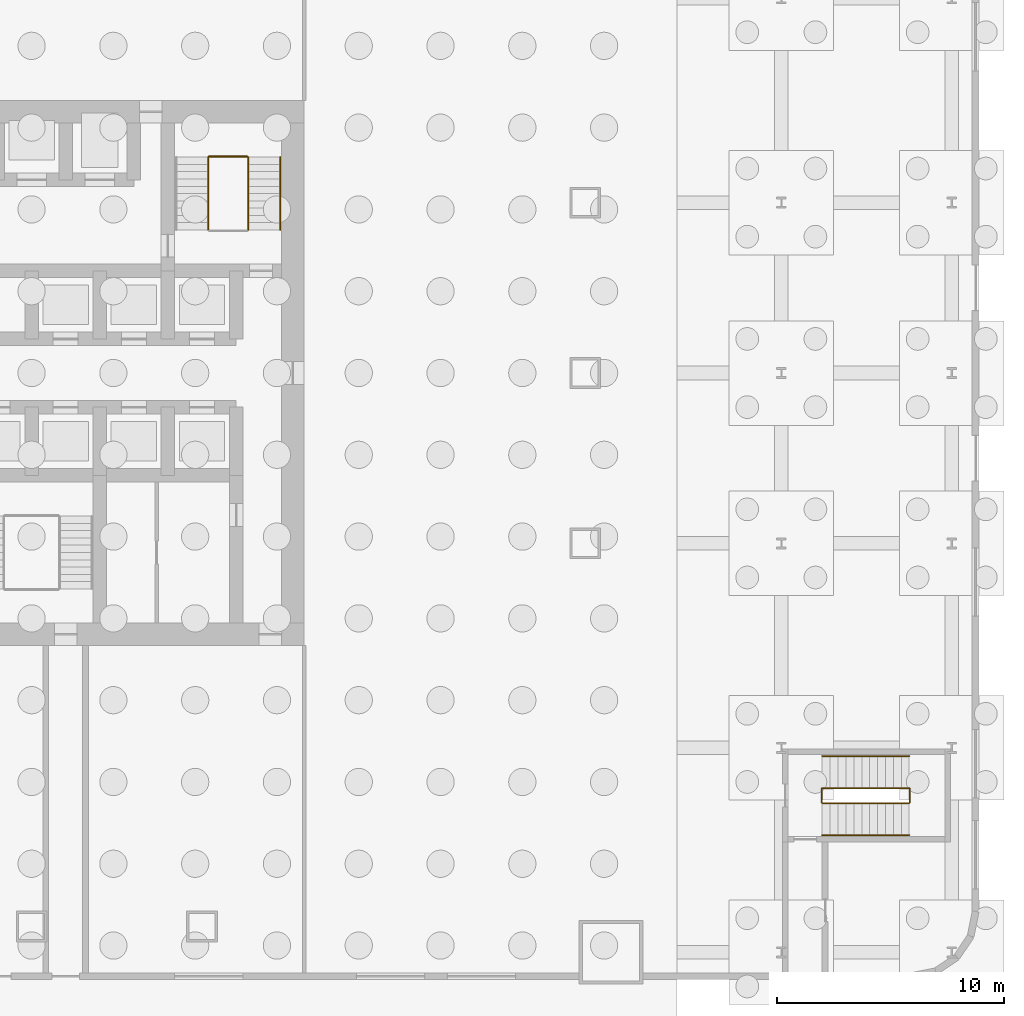
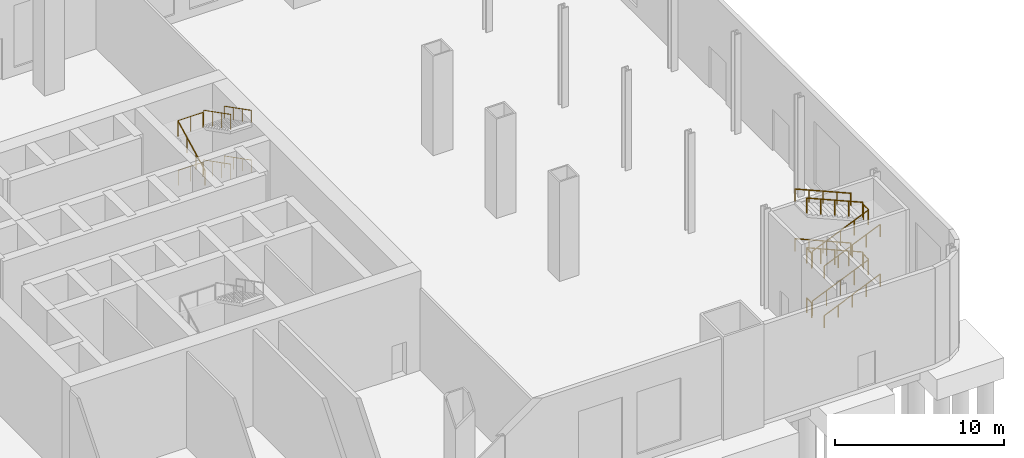
# One storey, part 9 of 10: 19 railings.
"""IFC4 building model written with IfcOpenShell, lengths in metres."""

from ifc_helpers import new_model, si_unit, direction, frame, origin, origin_2d, place, context, subcontext, project, spatial, circle, extrude, material, type_object, element, save


model = new_model("IFC4")

# Units and contexts
model_context = context("Model", 3, precision=1e-05, world=origin(), true_north=direction((0.0, 1.0)))
body_context = subcontext(model_context, "Body", "Model", "MODEL_VIEW")
ifc_project = project(units=[si_unit("LENGTHUNIT", "METRE"), si_unit("AREAUNIT", "SQUARE_METRE"), si_unit("VOLUMEUNIT", "CUBIC_METRE"), si_unit("PLANEANGLEUNIT", "RADIAN"), si_unit("MASSUNIT", "GRAM", prefix="KILO")], contexts=[model_context])

# Site, building, storey
site_placement = place(None, origin())
site = spatial("IfcSite", under=ifc_project, at=site_placement, CompositionType="ELEMENT")
building_placement = place(site_placement, origin())
building = spatial("IfcBuilding", under=site, at=building_placement, Name="Tarangal Relay Tower", CompositionType="ELEMENT")
storey_placement = place(building_placement, origin())
storey = spatial("IfcBuildingStorey", under=building, at=storey_placement, Name="L00", CompositionType="ELEMENT", Elevation=0.0)

# Railings
ifc_material_1 = material(Name="Steel guard, black finish", Category="steel")
railing_type_1 = type_object("IfcRailingType", Name="Stair guard 1100", PredefinedType="GUARDRAIL", material=ifc_material_1)
railing_1_placement = place(storey_placement, frame((9.530029296875, 9.5, 1.963623046875)))
element("IfcRailing", 1, at=railing_1_placement, inside=storey, type_object=railing_type_1, Name="Stair ST-B guard GR1 L00 flight 2", PredefinedType="GUARDRAIL", context=body_context, shape_type="SweptSolid", body=[
    extrude(circle(Radius=0.02392578125, at=origin_2d()), frame((0.0, 0.0, 1.076171875), z_axis=(0.0, -0.890328218293, 0.455319298636), x_axis=(1.0, 0.0, 0.0)), (0.0, 0.0, 1.0), 3.59423828125),
    extrude(circle(Radius=0.02099609375, at=origin_2d()), origin(), (0.0, 0.0, 1.0), 1.052001953125),
    extrude(circle(Radius=0.02099609375, at=origin_2d()), frame((0.0, -1.066650390625, 0.54541015625)), (0.0, 0.0, 1.0), 1.052001953125),
    extrude(circle(Radius=0.02099609375, at=origin_2d()), frame((0.0, -2.13330078125, 1.091064453125)), (0.0, 0.0, 1.0), 1.052001953125),
    extrude(circle(Radius=0.02099609375, at=origin_2d()), frame((0.0, -3.199951171875, 1.636474609375)), (0.0, 0.0, 1.0), 1.052001953125),
])
railing_2_placement = place(storey_placement, frame((7.77001953125, 6.300048828125, 3.763671875)))
element("IfcRailing", 2, at=railing_2_placement, inside=storey, type_object=railing_type_1, Name="Stair ST-B guard GR1 L00 flight 3", PredefinedType="GUARDRAIL", context=body_context, shape_type="SweptSolid", body=[
    extrude(circle(Radius=0.02392578125, at=origin_2d()), frame((0.0, 0.0, 1.076171875), z_axis=(0.0, 0.890355754289, 0.455265450923), x_axis=(-1.0, 0.0, 0.0)), (0.0, 0.0, 1.0), 3.593994140625),
    extrude(circle(Radius=0.02099609375, at=origin_2d()), origin(), (0.0, 0.0, 1.0), 1.052001953125),
    extrude(circle(Radius=0.02099609375, at=origin_2d()), frame((0.0, 1.066650390625, 0.54541015625)), (0.0, 0.0, 1.0), 1.052001953125),
    extrude(circle(Radius=0.02099609375, at=origin_2d()), frame((0.0, 2.13330078125, 1.0908203125)), (0.0, 0.0, 1.0), 1.052001953125),
    extrude(circle(Radius=0.02099609375, at=origin_2d()), frame((0.0, 3.199951171875, 1.63623046875)), (0.0, 0.0, 1.0), 1.052001953125),
])
railing_3_placement = place(storey_placement, frame((9.530029296875, 9.5, 5.563720703125)))
element("IfcRailing", 3, at=railing_3_placement, inside=storey, type_object=railing_type_1, Name="Stair ST-B guard GR1 L00 flight 4", PredefinedType="GUARDRAIL", context=body_context, shape_type="SweptSolid", body=[
    extrude(circle(Radius=0.02392578125, at=origin_2d()), frame((0.0, 0.0, 1.076171875), z_axis=(0.0, -0.890355754289, 0.455265450923), x_axis=(1.0, 0.0, 0.0)), (0.0, 0.0, 1.0), 3.593994140625),
    extrude(circle(Radius=0.02099609375, at=origin_2d()), origin(), (0.0, 0.0, 1.0), 1.052001953125),
    extrude(circle(Radius=0.02099609375, at=origin_2d()), frame((0.0, -1.066650390625, 0.54541015625)), (0.0, 0.0, 1.0), 1.052001953125),
    extrude(circle(Radius=0.02099609375, at=origin_2d()), frame((0.0, -2.13330078125, 1.0908203125)), (0.0, 0.0, 1.0), 1.052001953125),
    extrude(circle(Radius=0.02099609375, at=origin_2d()), frame((0.0, -3.199951171875, 1.63623046875)), (0.0, 0.0, 1.0), 1.052001953125),
])
for number, where, name in (
    (4, (7.800048828125, 9.530029296875, 1.800048828125), "Stair ST-B landing guard GR1 L00"),
    (5, (7.800048828125, 9.530029296875, 5.39990234375), "Stair ST-B landing guard GR1 L00"),
):
    element("IfcRailing", number, at=place(storey_placement, frame(where)), inside=storey, type_object=railing_type_1, Name=name, PredefinedType="GUARDRAIL", context=body_context, shape_type="SweptSolid", body=[
        extrude(circle(Radius=0.02392578125, at=origin_2d()), frame((0.0, 0.0, 1.076171875), z_axis=(1.0, 0.0, 0.0), x_axis=(0.0, 1.0, 0.0)), (0.0, 0.0, 1.0), 1.699951171875),
        extrude(circle(Radius=0.02099609375, at=origin_2d()), origin(), (0.0, 0.0, 1.0), 1.052001953125),
        extrude(circle(Radius=0.02099609375, at=origin_2d()), frame((0.85009765625, 0.0, 0.0)), (0.0, 0.0, 1.0), 1.052001953125),
        extrude(circle(Radius=0.02099609375, at=origin_2d()), frame((1.699951171875, 0.0, 0.0)), (0.0, 0.0, 1.0), 1.052001953125),
    ])
railing_4_placement = place(storey_placement, frame((34.800048828125, -18.929931640625, 0.14990234375)))
element("IfcRailing", 6, at=railing_4_placement, inside=storey, type_object=railing_type_1, Name="Stair ST-E guard GR1 L00 flight 1", PredefinedType="GUARDRAIL", context=body_context, shape_type="SweptSolid", body=[
    extrude(circle(Radius=0.02392578125, at=origin_2d()), frame((0.0, 0.0, 1.076171875), z_axis=(0.918306833342, 0.0, 0.395869372189), x_axis=(0.0, 1.0, 0.0)), (0.0, 0.0, 1.0), 4.16845703125),
    extrude(circle(Radius=0.02099609375, at=origin_2d()), origin(), (0.0, 0.0, 1.0), 1.052001953125),
    extrude(circle(Radius=0.02099609375, at=origin_2d()), frame((0.95703125, 0.0, 0.41259765625)), (0.0, 0.0, 1.0), 1.052001953125),
    extrude(circle(Radius=0.02099609375, at=origin_2d()), frame((1.9140625, 0.0, 0.8251953125)), (0.0, 0.0, 1.0), 1.052001953125),
    extrude(circle(Radius=0.02099609375, at=origin_2d()), frame((2.870849609375, 0.0, 1.237548828125)), (0.0, 0.0, 1.0), 1.052001953125),
    extrude(circle(Radius=0.02099609375, at=origin_2d()), frame((3.827880859375, 0.0, 1.650146484375)), (0.0, 0.0, 1.0), 1.052001953125),
])
railing_5_placement = place(storey_placement, frame((38.6279296875, -18.27001953125, 1.949951171875)))
element("IfcRailing", 7, at=railing_5_placement, inside=storey, type_object=railing_type_1, Name="Stair ST-E guard GR1 L00 flight 2", PredefinedType="GUARDRAIL", context=body_context, shape_type="SweptSolid", body=[
    extrude(circle(Radius=0.02392578125, at=origin_2d()), frame((0.0, 0.0, 1.076171875), z_axis=(-0.918306833342, 0.0, 0.395869372189), x_axis=(0.0, -1.0, 0.0)), (0.0, 0.0, 1.0), 4.16845703125),
    extrude(circle(Radius=0.02099609375, at=origin_2d()), origin(), (0.0, 0.0, 1.0), 1.052001953125),
    extrude(circle(Radius=0.02099609375, at=origin_2d()), frame((-0.95703125, 0.0, 0.41259765625)), (0.0, 0.0, 1.0), 1.052001953125),
    extrude(circle(Radius=0.02099609375, at=origin_2d()), frame((-1.9140625, 0.0, 0.8251953125)), (0.0, 0.0, 1.0), 1.052001953125),
    extrude(circle(Radius=0.02099609375, at=origin_2d()), frame((-2.870849609375, 0.0, 1.237548828125)), (0.0, 0.0, 1.0), 1.052001953125),
    extrude(circle(Radius=0.02099609375, at=origin_2d()), frame((-3.827880859375, 0.0, 1.650146484375)), (0.0, 0.0, 1.0), 1.052001953125),
])
railing_6_placement = place(storey_placement, frame((34.800048828125, -18.929931640625, 3.75)))
element("IfcRailing", 8, at=railing_6_placement, inside=storey, type_object=railing_type_1, Name="Stair ST-E guard GR1 L00 flight 3", PredefinedType="GUARDRAIL", context=body_context, shape_type="SweptSolid", body=[
    extrude(circle(Radius=0.02392578125, at=origin_2d()), frame((0.0, 0.0, 1.076171875), z_axis=(0.91832812415, 0.0, 0.395819979782), x_axis=(0.0, 1.0, 0.0)), (0.0, 0.0, 1.0), 4.168212890625),
    extrude(circle(Radius=0.02099609375, at=origin_2d()), origin(), (0.0, 0.0, 1.0), 1.052001953125),
    extrude(circle(Radius=0.02099609375, at=origin_2d()), frame((0.95703125, 0.0, 0.41259765625)), (0.0, 0.0, 1.0), 1.052001953125),
    extrude(circle(Radius=0.02099609375, at=origin_2d()), frame((1.9140625, 0.0, 0.824951171875)), (0.0, 0.0, 1.0), 1.052001953125),
    extrude(circle(Radius=0.02099609375, at=origin_2d()), frame((2.870849609375, 0.0, 1.2373046875)), (0.0, 0.0, 1.0), 1.052001953125),
    extrude(circle(Radius=0.02099609375, at=origin_2d()), frame((3.827880859375, 0.0, 1.64990234375)), (0.0, 0.0, 1.0), 1.052001953125),
])
railing_7_placement = place(storey_placement, frame((38.6279296875, -18.27001953125, 5.550048828125)))
element("IfcRailing", 9, at=railing_7_placement, inside=storey, type_object=railing_type_1, Name="Stair ST-E guard GR1 L00 flight 4", PredefinedType="GUARDRAIL", context=body_context, shape_type="SweptSolid", body=[
    extrude(circle(Radius=0.02392578125, at=origin_2d()), frame((0.0, 0.0, 1.076171875), z_axis=(-0.91832812415, 0.0, 0.395819979782), x_axis=(0.0, -1.0, 0.0)), (0.0, 0.0, 1.0), 4.168212890625),
    extrude(circle(Radius=0.02099609375, at=origin_2d()), origin(), (0.0, 0.0, 1.0), 1.052001953125),
    extrude(circle(Radius=0.02099609375, at=origin_2d()), frame((-0.95703125, 0.0, 0.41259765625)), (0.0, 0.0, 1.0), 1.052001953125),
    extrude(circle(Radius=0.02099609375, at=origin_2d()), frame((-1.9140625, 0.0, 0.824951171875)), (0.0, 0.0, 1.0), 1.052001953125),
    extrude(circle(Radius=0.02099609375, at=origin_2d()), frame((-2.870849609375, 0.0, 1.2373046875)), (0.0, 0.0, 1.0), 1.052001953125),
    extrude(circle(Radius=0.02099609375, at=origin_2d()), frame((-3.827880859375, 0.0, 1.64990234375)), (0.0, 0.0, 1.0), 1.052001953125),
])
for number, where, name in (
    (10, (34.77001953125, -18.89990234375, 0.0), "Stair ST-E landing guard GR1 L00"),
    (11, (38.657958984375, -18.89990234375, 1.800048828125), "Stair ST-E landing guard GR1 L00"),
    (12, (34.77001953125, -18.89990234375, 3.60009765625), "Stair ST-E landing guard GR1 L00"),
    (13, (38.657958984375, -18.89990234375, 5.39990234375), "Stair ST-E landing guard GR1 L00"),
):
    element("IfcRailing", number, at=place(storey_placement, frame(where)), inside=storey, type_object=railing_type_1, Name=name, PredefinedType="GUARDRAIL", context=body_context, shape_type="SweptSolid", body=[
        extrude(circle(Radius=0.02392578125, at=origin_2d()), frame((0.0, 0.0, 1.076171875), z_axis=(0.0, 1.0, 0.0), x_axis=(-1.0, 0.0, 0.0)), (0.0, 0.0, 1.0), 0.599853515625),
        extrude(circle(Radius=0.02099609375, at=origin_2d()), origin(), (0.0, 0.0, 1.0), 1.052001953125),
        extrude(circle(Radius=0.02099609375, at=origin_2d()), frame((0.0, 0.599853515625, 0.0)), (0.0, 0.0, 1.0), 1.052001953125),
    ])
ifc_material_2 = material(Name="Steel handrail, black finish", Category="steel")
railing_type_2 = type_object("IfcRailingType", Name="Stair handrail 900", PredefinedType="HANDRAIL", material=ifc_material_2)
railing_8_placement = place(storey_placement, frame((10.93994140625, 9.5, 1.963623046875)))
element("IfcRailing", 14, at=railing_8_placement, inside=storey, type_object=railing_type_2, Name="Stair ST-B handrail HR1 L00 flight 2", PredefinedType="HANDRAIL", context=body_context, shape_type="SweptSolid", body=[
    extrude(circle(Radius=0.02392578125, at=origin_2d()), frame((0.0, 0.0, 0.8759765625), z_axis=(0.0, -0.890328218293, 0.455319298636), x_axis=(1.0, 0.0, 0.0)), (0.0, 0.0, 1.0), 3.59423828125),
    extrude(circle(Radius=0.02099609375, at=origin_2d()), origin(), (0.0, 0.0, 1.0), 0.851806640625),
    extrude(circle(Radius=0.02099609375, at=origin_2d()), frame((0.0, -1.066650390625, 0.54541015625)), (0.0, 0.0, 1.0), 0.851806640625),
    extrude(circle(Radius=0.02099609375, at=origin_2d()), frame((0.0, -2.13330078125, 1.091064453125)), (0.0, 0.0, 1.0), 0.851806640625),
    extrude(circle(Radius=0.02099609375, at=origin_2d()), frame((0.0, -3.199951171875, 1.636474609375)), (0.0, 0.0, 1.0), 0.851806640625),
])
railing_9_placement = place(storey_placement, frame((10.93994140625, 9.5, 5.563720703125)))
element("IfcRailing", 15, at=railing_9_placement, inside=storey, type_object=railing_type_2, Name="Stair ST-B handrail HR1 L00 flight 4", PredefinedType="HANDRAIL", context=body_context, shape_type="SweptSolid", body=[
    extrude(circle(Radius=0.02392578125, at=origin_2d()), frame((0.0, 0.0, 0.8759765625), z_axis=(0.0, -0.890355754289, 0.455265450923), x_axis=(1.0, 0.0, 0.0)), (0.0, 0.0, 1.0), 3.593994140625),
    extrude(circle(Radius=0.02099609375, at=origin_2d()), origin(), (0.0, 0.0, 1.0), 0.851806640625),
    extrude(circle(Radius=0.02099609375, at=origin_2d()), frame((0.0, -1.066650390625, 0.54541015625)), (0.0, 0.0, 1.0), 0.851806640625),
    extrude(circle(Radius=0.02099609375, at=origin_2d()), frame((0.0, -2.13330078125, 1.0908203125)), (0.0, 0.0, 1.0), 0.851806640625),
    extrude(circle(Radius=0.02099609375, at=origin_2d()), frame((0.0, -3.199951171875, 1.63623046875)), (0.0, 0.0, 1.0), 0.851806640625),
])
railing_10_placement = place(storey_placement, frame((34.800048828125, -20.340087890625, 0.14990234375)))
element("IfcRailing", 16, at=railing_10_placement, inside=storey, type_object=railing_type_2, Name="Stair ST-E handrail HR1 L00 flight 1", PredefinedType="HANDRAIL", context=body_context, shape_type="SweptSolid", body=[
    extrude(circle(Radius=0.02392578125, at=origin_2d()), frame((0.0, 0.0, 0.8759765625), z_axis=(0.918306833342, 0.0, 0.395869372189), x_axis=(0.0, 1.0, 0.0)), (0.0, 0.0, 1.0), 4.16845703125),
    extrude(circle(Radius=0.02099609375, at=origin_2d()), origin(), (0.0, 0.0, 1.0), 0.851806640625),
    extrude(circle(Radius=0.02099609375, at=origin_2d()), frame((0.95703125, 0.0, 0.41259765625)), (0.0, 0.0, 1.0), 0.851806640625),
    extrude(circle(Radius=0.02099609375, at=origin_2d()), frame((1.9140625, 0.0, 0.8251953125)), (0.0, 0.0, 1.0), 0.851806640625),
    extrude(circle(Radius=0.02099609375, at=origin_2d()), frame((2.870849609375, 0.0, 1.237548828125)), (0.0, 0.0, 1.0), 0.851806640625),
    extrude(circle(Radius=0.02099609375, at=origin_2d()), frame((3.827880859375, 0.0, 1.650146484375)), (0.0, 0.0, 1.0), 0.851806640625),
])
railing_11_placement = place(storey_placement, frame((38.6279296875, -16.860107421875, 1.949951171875)))
element("IfcRailing", 17, at=railing_11_placement, inside=storey, type_object=railing_type_2, Name="Stair ST-E handrail HR1 L00 flight 2", PredefinedType="HANDRAIL", context=body_context, shape_type="SweptSolid", body=[
    extrude(circle(Radius=0.02392578125, at=origin_2d()), frame((0.0, 0.0, 0.8759765625), z_axis=(-0.918306833342, 0.0, 0.395869372189), x_axis=(0.0, -1.0, 0.0)), (0.0, 0.0, 1.0), 4.16845703125),
    extrude(circle(Radius=0.02099609375, at=origin_2d()), origin(), (0.0, 0.0, 1.0), 0.851806640625),
    extrude(circle(Radius=0.02099609375, at=origin_2d()), frame((-0.95703125, 0.0, 0.41259765625)), (0.0, 0.0, 1.0), 0.851806640625),
    extrude(circle(Radius=0.02099609375, at=origin_2d()), frame((-1.9140625, 0.0, 0.8251953125)), (0.0, 0.0, 1.0), 0.851806640625),
    extrude(circle(Radius=0.02099609375, at=origin_2d()), frame((-2.870849609375, 0.0, 1.237548828125)), (0.0, 0.0, 1.0), 0.851806640625),
    extrude(circle(Radius=0.02099609375, at=origin_2d()), frame((-3.827880859375, 0.0, 1.650146484375)), (0.0, 0.0, 1.0), 0.851806640625),
])
railing_12_placement = place(storey_placement, frame((34.800048828125, -20.340087890625, 3.75)))
element("IfcRailing", 18, at=railing_12_placement, inside=storey, type_object=railing_type_2, Name="Stair ST-E handrail HR1 L00 flight 3", PredefinedType="HANDRAIL", context=body_context, shape_type="SweptSolid", body=[
    extrude(circle(Radius=0.02392578125, at=origin_2d()), frame((0.0, 0.0, 0.8759765625), z_axis=(0.91832812415, 0.0, 0.395819979782), x_axis=(0.0, 1.0, 0.0)), (0.0, 0.0, 1.0), 4.168212890625),
    extrude(circle(Radius=0.02099609375, at=origin_2d()), origin(), (0.0, 0.0, 1.0), 0.851806640625),
    extrude(circle(Radius=0.02099609375, at=origin_2d()), frame((0.95703125, 0.0, 0.41259765625)), (0.0, 0.0, 1.0), 0.851806640625),
    extrude(circle(Radius=0.02099609375, at=origin_2d()), frame((1.9140625, 0.0, 0.824951171875)), (0.0, 0.0, 1.0), 0.851806640625),
    extrude(circle(Radius=0.02099609375, at=origin_2d()), frame((2.870849609375, 0.0, 1.2373046875)), (0.0, 0.0, 1.0), 0.851806640625),
    extrude(circle(Radius=0.02099609375, at=origin_2d()), frame((3.827880859375, 0.0, 1.64990234375)), (0.0, 0.0, 1.0), 0.851806640625),
])
railing_13_placement = place(storey_placement, frame((38.6279296875, -16.860107421875, 5.550048828125)))
element("IfcRailing", 19, at=railing_13_placement, inside=storey, type_object=railing_type_2, Name="Stair ST-E handrail HR1 L00 flight 4", PredefinedType="HANDRAIL", context=body_context, shape_type="SweptSolid", body=[
    extrude(circle(Radius=0.02392578125, at=origin_2d()), frame((0.0, 0.0, 0.8759765625), z_axis=(-0.91832812415, 0.0, 0.395819979782), x_axis=(0.0, -1.0, 0.0)), (0.0, 0.0, 1.0), 4.168212890625),
    extrude(circle(Radius=0.02099609375, at=origin_2d()), origin(), (0.0, 0.0, 1.0), 0.851806640625),
    extrude(circle(Radius=0.02099609375, at=origin_2d()), frame((-0.95703125, 0.0, 0.41259765625)), (0.0, 0.0, 1.0), 0.851806640625),
    extrude(circle(Radius=0.02099609375, at=origin_2d()), frame((-1.9140625, 0.0, 0.824951171875)), (0.0, 0.0, 1.0), 0.851806640625),
    extrude(circle(Radius=0.02099609375, at=origin_2d()), frame((-2.870849609375, 0.0, 1.2373046875)), (0.0, 0.0, 1.0), 0.851806640625),
    extrude(circle(Radius=0.02099609375, at=origin_2d()), frame((-3.827880859375, 0.0, 1.64990234375)), (0.0, 0.0, 1.0), 0.851806640625),
])

save(model, "model.ifc")
